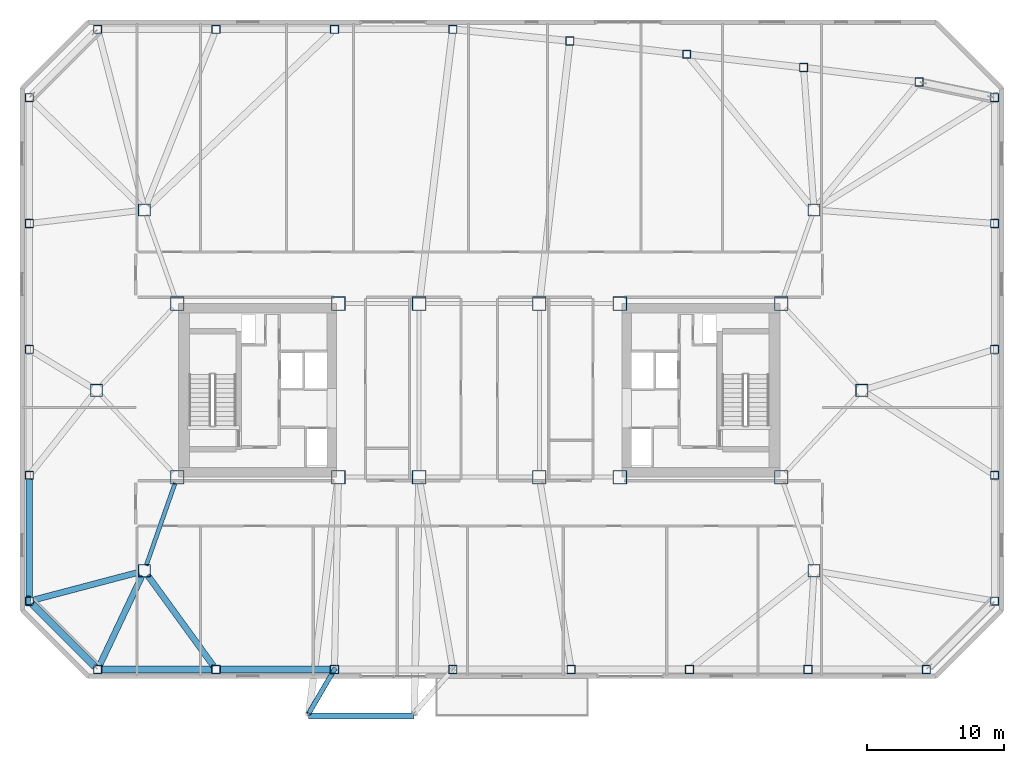
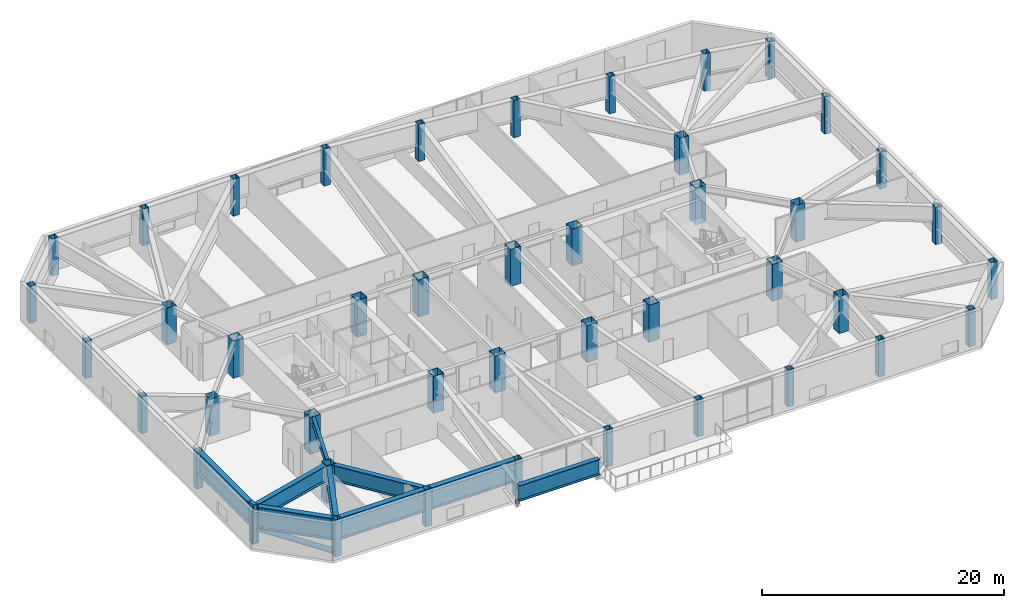
# One storey, part 1 of 18: 44 columns, 9 beams, 3 members.
"""IFC4 building model written with IfcOpenShell, lengths in metres."""

import ifcopenshell
import ifcopenshell.guid

model = None  # the IFC model being written
_history = None  # IfcOwnerHistory: only IFC2X3 demands one
_inside = {}  # id of a spatial element -> (the spatial element, [elements in it])
_under = {}  # id of a project, library or spatial element -> (it, [spatial elements below it])
_declared = {}  # id of a project -> (the project, [libraries it declares])
_typed = {}  # id of a type object -> (the type object, [elements of that type])
_made_of = {}  # id of a material, layer set ... -> (it, [elements and type objects made of it])


def new_model(schema):
    """Start an empty IFC model of exactly this schema.

    Asked for "IFC4X3", IfcOpenShell would pick the latest addendum, in which some entities
    have other attributes; the version numbers below select the first issue.
    IFC2X3 requires an IfcOwnerHistory on every rooted entity: one is made here for all.
    """
    global model, _history
    if schema == "IFC4X3":
        model = ifcopenshell.file(schema_version=(4, 3, 0, 0))
    else:
        model = ifcopenshell.file(schema=schema)
    _inside.clear()
    _under.clear()
    _declared.clear()
    _typed.clear()
    _made_of.clear()
    _history = None
    if model.schema == "IFC2X3":
        org = make("IfcOrganization", Name="unknown")
        user = make(
            "IfcPersonAndOrganization",
            ThePerson=make("IfcPerson", FamilyName="unknown"),
            TheOrganization=org,
        )
        app = make(
            "IfcApplication",
            ApplicationDeveloper=org,
            Version="unknown",
            ApplicationFullName="unknown",
            ApplicationIdentifier="unknown",
        )
        _history = make(
            "IfcOwnerHistory",
            OwningUser=user,
            OwningApplication=app,
            ChangeAction="ADDED",
            CreationDate=0,
        )
    return model


def make(cls, **values):
    """One entity of the class cls with the attributes given. An attribute that is None is left unset."""
    return model.create_entity(
        cls, **{name: value for name, value in values.items() if value is not None}
    )


def rooted(cls, **values):
    """An entity with a GlobalId (a new one), such as an element, a storey or a relation."""
    return make(cls, GlobalId=ifcopenshell.guid.new(), OwnerHistory=_history, **values)


def si_unit(unit_type, name, prefix=None):
    """IfcSIUnit, for example si_unit("LENGTHUNIT", "METRE", prefix="MILLI")."""
    return make("IfcSIUnit", UnitType=unit_type, Prefix=prefix, Name=name)


def assignment(units):
    """IfcUnitAssignment: the units of a project."""
    return None if units is None else make("IfcUnitAssignment", Units=units)


def point(xyz):
    """IfcCartesianPoint."""
    return None if xyz is None else make("IfcCartesianPoint", Coordinates=xyz)


def direction(xyz):
    """IfcDirection."""
    return None if xyz is None else make("IfcDirection", DirectionRatios=xyz)


def frame(location, z_axis=None, x_axis=None):
    """IfcAxis2Placement3D, a coordinate frame: its origin and axes. An axis left out is left unset."""
    return make(
        "IfcAxis2Placement3D",
        Location=point(location),
        Axis=direction(z_axis),
        RefDirection=direction(x_axis),
    )


def frame_2d(location, x_axis=None):
    """IfcAxis2Placement2D, a coordinate frame in the plane: its origin and x axis."""
    return make(
        "IfcAxis2Placement2D", Location=point(location), RefDirection=direction(x_axis)
    )


def origin():
    """The frame at (0, 0, 0) with its axes left unset."""
    return frame((0.0, 0.0, 0.0))


def origin_2d():
    """The frame at (0, 0) in the plane with its x axis left unset."""
    return frame_2d((0.0, 0.0))


def place(relative_to, where):
    """IfcLocalPlacement: puts the frame where relative to a parent placement (None: the world)."""
    return make(
        "IfcLocalPlacement", PlacementRelTo=relative_to, RelativePlacement=where
    )


def context(
    kind, dimensions, precision=None, world=None, true_north=None, identifier=None
):
    """IfcGeometricRepresentationContext, for example the 3D "Model" context."""
    return make(
        "IfcGeometricRepresentationContext",
        ContextIdentifier=identifier,
        ContextType=kind,
        CoordinateSpaceDimension=dimensions,
        Precision=precision,
        WorldCoordinateSystem=world,
        TrueNorth=true_north,
    )


def subcontext(parent, identifier, kind, view, scale=None):
    """IfcGeometricRepresentationSubContext, for example "Body" below "Model"."""
    return make(
        "IfcGeometricRepresentationSubContext",
        ContextIdentifier=identifier,
        ContextType=kind,
        ParentContext=parent,
        TargetScale=scale,
        TargetView=view,
    )


def project(units=None, contexts=None):
    """IfcProject with its units and contexts."""
    return rooted(
        "IfcProject",
        Name="project",
        RepresentationContexts=contexts,
        UnitsInContext=assignment(units),
    )


def spatial(cls, under=None, at=None, **own):
    """A site, building, storey or space (cls), placed at a placement, below another one or the project."""
    s = rooted(cls, ObjectPlacement=at, **own)
    if under is not None:
        _under.setdefault(under.id(), (under, []))[1].append(s)
    return s


def profile(cls, at=None, kind="AREA", **sizes):
    """A parametric profile (cls). Its sizes go by their IFC names, for example OverallWidth=200.0."""
    return make(cls, ProfileType=kind, Position=at, **sizes)


def rectangle(**sizes):
    """IfcRectangleProfileDef."""
    return profile("IfcRectangleProfileDef", **sizes)


def hollow_rectangle(**sizes):
    """IfcRectangleHollowProfileDef."""
    return profile("IfcRectangleHollowProfileDef", **sizes)


def hollow_circle(**sizes):
    """IfcCircleHollowProfileDef."""
    return profile("IfcCircleHollowProfileDef", **sizes)


def i_section(**sizes):
    """IfcIShapeProfileDef."""
    return profile("IfcIShapeProfileDef", **sizes)


def extrude(swept, where, along, depth):
    """IfcExtrudedAreaSolid: the profile swept, set in the frame where, extruded along a direction by depth."""
    return make(
        "IfcExtrudedAreaSolid",
        SweptArea=swept,
        Position=where,
        ExtrudedDirection=direction(along),
        Depth=depth,
    )


def shape(context_of_items, identifier, shape_type, items):
    """IfcShapeRepresentation: the items that make up one representation, for example the "Body"."""
    return make(
        "IfcShapeRepresentation",
        ContextOfItems=context_of_items,
        RepresentationIdentifier=identifier,
        RepresentationType=shape_type,
        Items=items,
    )


def material(Name=None, Category=None):
    """IfcMaterial."""
    return make("IfcMaterial", Name=Name, Category=Category)


def material_profile(
    of_material, cross_section, Name=None, Category=None, Priority=None
):
    """IfcMaterialProfile: a cross section and its material."""
    return make(
        "IfcMaterialProfile",
        Name=Name,
        Material=of_material,
        Profile=cross_section,
        Priority=Priority,
        Category=Category,
    )


def profile_set(profiles, Name=None, composite=None):
    """IfcMaterialProfileSet."""
    return make(
        "IfcMaterialProfileSet",
        Name=Name,
        MaterialProfiles=profiles,
        CompositeProfile=composite,
    )


def made_of(thing, what):
    """Note that an element or type object is made of a material, layer set ...; save() writes the relation."""
    if what is not None:
        _made_of.setdefault(what.id(), (what, []))[1].append(thing)
    return thing


def type_object(cls, material=None, **own):
    """A type object (cls), such as IfcWallType, which elements share."""
    return made_of(rooted(cls, **own), material)


def element(
    cls,
    number,
    at=None,
    inside=None,
    cuts=None,
    type_object=None,
    material=None,
    context=None,
    identifier="Body",
    shape_type=None,
    held_by="IfcProductDefinitionShape",
    body=None,
    shapes=None,
    **own,
):
    """One element of the class cls, such as IfcWall. Its Tag is "e" and its number.

    at: its placement. inside: the storey or other place that contains it. cuts: it is an
    opening in that element (IfcRelVoidsElement). A single representation is given by context,
    identifier, shape_type and body (its items); several are given by shapes. held_by: the class
    of the entity that holds the representations. save() writes the other relations.
    """
    e = rooted(cls, Tag="e%d" % number, ObjectPlacement=at, **own)
    if body is not None:
        shapes = [shape(context, identifier, shape_type, body)]
    if shapes is not None:
        e.Representation = make(held_by, Representations=shapes)
    if inside is not None:
        _inside.setdefault(inside.id(), (inside, []))[1].append(e)
    if cuts is not None:
        rooted(
            "IfcRelVoidsElement", RelatingBuildingElement=cuts, RelatedOpeningElement=e
        )
    if type_object is not None:
        _typed.setdefault(type_object.id(), (type_object, []))[1].append(e)
    return made_of(e, material)


def aggregate(whole, parts):
    """IfcRelAggregates: a whole, such as a stair, and the parts it consists of."""
    return rooted("IfcRelAggregates", RelatingObject=whole, RelatedObjects=parts)


def save(model, path):
    """Write the relations noted so far, then the file.

    IfcRelAggregates (storeys below a building ...), IfcRelContainedInSpatialStructure (elements
    in a storey), IfcRelDefinesByType, IfcRelAssociatesMaterial and IfcRelDeclares: one each for
    every whole, place, type object, material and project.
    """
    for whole, parts in _under.values():
        aggregate(whole, parts)
    for where, things in _inside.values():
        rooted(
            "IfcRelContainedInSpatialStructure",
            RelatedElements=things,
            RelatingStructure=where,
        )
    for kind, things in _typed.values():
        rooted("IfcRelDefinesByType", RelatedObjects=things, RelatingType=kind)
    for what, things in _made_of.values():
        rooted("IfcRelAssociatesMaterial", RelatedObjects=things, RelatingMaterial=what)
    for by, libraries in _declared.values():
        rooted("IfcRelDeclares", RelatingContext=by, RelatedDefinitions=libraries)
    model.write(path)


model = new_model("IFC4")

# Units and contexts
model_context = context("Model", 3, precision=1e-05, world=origin(), true_north=direction((0.0, 1.0)))
body_context = subcontext(model_context, "Body", "Model", "MODEL_VIEW")
ifc_project = project(units=[si_unit("LENGTHUNIT", "METRE"), si_unit("AREAUNIT", "SQUARE_METRE"), si_unit("VOLUMEUNIT", "CUBIC_METRE"), si_unit("PLANEANGLEUNIT", "RADIAN"), si_unit("MASSUNIT", "GRAM", prefix="KILO")], contexts=[model_context])

# Site, building, storey
site_placement = place(None, origin())
site = spatial("IfcSite", under=ifc_project, at=site_placement, CompositionType="ELEMENT")
building_placement = place(site_placement, origin())
building = spatial("IfcBuilding", under=site, at=building_placement, Name="Tavrogorsk Clinical Tower", CompositionType="ELEMENT")
storey_placement = place(building_placement, frame((0.0, 0.0, 152.199951171875)))
storey = spatial("IfcBuildingStorey", under=building, at=storey_placement, Name="L34", CompositionType="ELEMENT", Elevation=152.199951171875)

# Columns
ifc_material_1 = material(Name="Structural steel S440", Category="steel")
ifc_material_profile_1 = material_profile(ifc_material_1, hollow_rectangle(XDim=1.0, YDim=1.0, WallThickness=0.044921875, at=origin_2d()), Name="BOX-1000x1000x45")
ifc_profile_set_1 = profile_set([ifc_material_profile_1], Name="Structural steel S440")
column_type_1 = type_object("IfcColumnType", Name="MegaCol_BOX1000", PredefinedType="COLUMN", material=ifc_profile_set_1)
for number, where, z_axis, x_axis, name in (
    (1, (-22.10009765625, -6.35009765625, 0.0), (0.0, 0.0, 1.0), (1.0, 0.0, 0.0), "L34 Mega Column MC-W1"),
    (2, (-22.10009765625, 6.35009765625, 0.0), (0.0, 0.0, 1.0), (1.0, 0.0, 0.0), "L34 Mega Column MC-W2"),
    (3, (-10.300048828125, -6.35009765625, 0.0), (0.0, 0.0, 1.0), (1.0, 0.0, 0.0), "L34 Mega Column MC-W3"),
    (4, (-10.300048828125, 6.35009765625, 0.0), (0.0, 0.0, 1.0), (1.0, 0.0, 0.0), "L34 Mega Column MC-W4"),
    (5, (10.300048828125, -6.35009765625, 0.0), (0.0, 0.0, 1.0), (1.0, 0.0, 0.0), "L34 Mega Column MC-E1"),
    (6, (10.300048828125, 6.35009765625, 0.0), (0.0, 0.0, 1.0), (1.0, 0.0, 0.0), "L34 Mega Column MC-E2"),
    (7, (22.10009765625, -6.35009765625, 0.0), (0.0, 0.0, 1.0), (1.0, 0.0, 0.0), "L34 Mega Column MC-E3"),
    (8, (22.10009765625, 6.35009765625, 0.0), (0.0, 0.0, 1.0), (1.0, 0.0, 0.0), "L34 Mega Column MC-E4"),
    (9, (-4.39990234375, -6.35009765625, 0.0), (0.0, 0.0, 1.0), (1.0, 0.0, 0.0), "L34 Mega Column MC-C1"),
    (10, (4.39990234375, -6.35009765625, 0.0), (0.0, 0.0, 1.0), (1.0, 0.0, 0.0), "L34 Mega Column MC-C2"),
    (11, (-4.39990234375, 6.35009765625, 0.0), (0.0, 0.0, 1.0), (1.0, 0.0, 0.0), "L34 Mega Column MC-C3"),
    (12, (4.39990234375, 6.35009765625, 0.0), (0.0, 0.0, 1.0), (1.0, 0.0, 0.0), "L34 Mega Column MC-C4"),
):
    element("IfcColumn", number, at=place(storey_placement, frame(where, z_axis=z_axis, x_axis=x_axis)), inside=storey, type_object=column_type_1, Name=name, PredefinedType="COLUMN", context=body_context, shape_type="SweptSolid", body=[
        extrude(hollow_rectangle(XDim=1.0, YDim=1.0, WallThickness=0.044921875, at=origin_2d()), origin(), (0.0, 0.0, 1.0), 3.739990234375),
    ])
ifc_material_2 = material(Name="Structural steel S440", Category="steel")
ifc_material_profile_2 = material_profile(ifc_material_2, hollow_rectangle(XDim=0.89990234375, YDim=0.89990234375, WallThickness=0.0400390625, at=origin_2d()), Name="BOX-900x900x40")
ifc_profile_set_2 = profile_set([ifc_material_profile_2], Name="Structural steel S440")
column_type_2 = type_object("IfcColumnType", Name="MegaCol_BOX900", PredefinedType="COLUMN", material=ifc_profile_set_2)
for number, where, z_axis, x_axis, name in (
    (13, (-24.5, -13.199951171875, 0.0), (0.0, 0.0, 1.0), (1.0, 0.0, 0.0), "L34 Spine Pilotis Column MC-P1"),
    (14, (24.5, -13.199951171875, 0.0), (0.0, 0.0, 1.0), (1.0, 0.0, 0.0), "L34 Spine Pilotis Column MC-P2"),
    (15, (-24.5, 13.199951171875, 0.0), (0.0, 0.0, 1.0), (1.0, 0.0, 0.0), "L34 Spine Pilotis Column MC-P3"),
    (16, (24.5, 13.199951171875, 0.0), (0.0, 0.0, 1.0), (1.0, 0.0, 0.0), "L34 Spine Pilotis Column MC-P4"),
    (17, (-28.0, 0.0, 0.0), (0.0, 0.0, 1.0), (1.0, 0.0, 0.0), "L34 Spine Pilotis Column MC-P5"),
    (18, (28.0, 0.0, 0.0), (0.0, 0.0, 1.0), (1.0, 0.0, 0.0), "L34 Spine Pilotis Column MC-P6"),
):
    element("IfcColumn", number, at=place(storey_placement, frame(where, z_axis=z_axis, x_axis=x_axis)), inside=storey, type_object=column_type_2, Name=name, PredefinedType="COLUMN", context=body_context, shape_type="SweptSolid", body=[
        extrude(hollow_rectangle(XDim=0.89990234375, YDim=0.89990234375, WallThickness=0.0400390625, at=origin_2d()), origin(), (0.0, 0.0, 1.0), 3.739990234375),
    ])
ifc_material_3 = material(Name="Structural steel S440", Category="steel")
ifc_material_profile_3 = material_profile(ifc_material_3, hollow_rectangle(XDim=0.60009765625, YDim=0.60009765625, WallThickness=0.028076171875, at=origin_2d()), Name="BOX-600x600x28")
ifc_profile_set_3 = profile_set([ifc_material_profile_3], Name="Structural steel S440")
column_type_3 = type_object("IfcColumnType", Name="PerimCol_B3_BOX600", PredefinedType="COLUMN", material=ifc_profile_set_3)
for number, where, z_axis, x_axis, name in (
    (19, (-27.919921875, -20.419921875, 0.0), (0.0, 0.0, 1.0), (1.0, 0.0, 0.0), "L34 Perimeter Column S1"),
    (20, (-19.257080078125, -20.419921875, 0.0), (0.0, 0.0, 1.0), (1.0, 0.0, 0.0), "L34 Perimeter Column S2"),
    (21, (-10.59423828125, -20.419921875, 0.0), (0.0, 0.0, 1.0), (1.0, 0.0, 0.0), "L34 Perimeter Column S3"),
    (22, (-1.931396484375, -20.419921875, 0.0), (0.0, 0.0, 1.0), (1.0, 0.0, 0.0), "L34 Perimeter Column S4"),
    (23, (6.7314453125, -20.419921875, 0.0), (0.0, 0.0, 1.0), (1.0, 0.0, 0.0), "L34 Perimeter Column S5"),
    (24, (15.394287109375, -20.419921875, 0.0), (0.0, 0.0, 1.0), (1.0, 0.0, 0.0), "L34 Perimeter Column S6"),
    (25, (24.05712890625, -20.419921875, 0.0), (0.0, 0.0, 1.0), (1.0, 0.0, 0.0), "L34 Perimeter Column S7"),
    (26, (32.719970703125, -20.419921875, 0.0), (0.0, 0.0, 1.0), (1.0, 0.0, 0.0), "L34 Perimeter Column S8"),
    (27, (32.19140625, 22.56591796875, 0.0), (0.0, 0.0, 1.0), (1.0, 0.0, 0.0), "L34 Perimeter Column N1"),
    (28, (23.73779296875, 23.617919921875, 0.0), (0.0, 0.0, 1.0), (1.0, 0.0, 0.0), "L34 Perimeter Column N2"),
    (29, (15.18603515625, 24.59228515625, 0.0), (0.0, 0.0, 1.0), (1.0, 0.0, 0.0), "L34 Perimeter Column N3"),
    (30, (6.63427734375, 25.566650390625, 0.0), (0.0, 0.0, 1.0), (1.0, 0.0, 0.0), "L34 Perimeter Column N4"),
    (31, (-1.931396484375, 26.419921875, 0.0), (0.0, 0.0, 1.0), (1.0, 0.0, 0.0), "L34 Perimeter Column N5"),
    (32, (-10.59423828125, 26.419921875, 0.0), (0.0, 0.0, 1.0), (1.0, 0.0, 0.0), "L34 Perimeter Column N6"),
    (33, (-19.257080078125, 26.419921875, 0.0), (0.0, 0.0, 1.0), (1.0, 0.0, 0.0), "L34 Perimeter Column N7"),
    (34, (-27.919921875, 26.419921875, 0.0), (0.0, 0.0, 1.0), (1.0, 0.0, 0.0), "L34 Perimeter Column N8"),
    (35, (37.719970703125, -15.419921875, 0.0), (0.0, 0.0, 1.0), (1.0, 0.0, 0.0), "L34 Perimeter Column E1"),
    (36, (37.719970703125, -6.2099609375, 0.0), (0.0, 0.0, 1.0), (1.0, 0.0, 0.0), "L34 Perimeter Column E2"),
    (37, (37.719970703125, 3.0, 0.0), (0.0, 0.0, 1.0), (1.0, 0.0, 0.0), "L34 Perimeter Column E3"),
    (38, (37.719970703125, 12.2099609375, 0.0), (0.0, 0.0, 1.0), (1.0, 0.0, 0.0), "L34 Perimeter Column E4"),
    (39, (37.719970703125, 21.419921875, 0.0), (0.0, 0.0, 1.0), (1.0, 0.0, 0.0), "L34 Perimeter Column E5"),
    (40, (-32.919921875, 21.419921875, 0.0), (0.0, 0.0, 1.0), (1.0, 0.0, 0.0), "L34 Perimeter Column W1"),
    (41, (-32.919921875, 12.2099609375, 0.0), (0.0, 0.0, 1.0), (1.0, 0.0, 0.0), "L34 Perimeter Column W2"),
    (42, (-32.919921875, 3.0, 0.0), (0.0, 0.0, 1.0), (1.0, 0.0, 0.0), "L34 Perimeter Column W3"),
    (43, (-32.919921875, -6.2099609375, 0.0), (0.0, 0.0, 1.0), (1.0, 0.0, 0.0), "L34 Perimeter Column W4"),
    (44, (-32.919921875, -15.419921875, 0.0), (0.0, 0.0, 1.0), (1.0, 0.0, 0.0), "L34 Perimeter Column W5"),
):
    element("IfcColumn", number, at=place(storey_placement, frame(where, z_axis=z_axis, x_axis=x_axis)), inside=storey, type_object=column_type_3, Name=name, PredefinedType="COLUMN", context=body_context, shape_type="SweptSolid", body=[
        extrude(hollow_rectangle(XDim=0.60009765625, YDim=0.60009765625, WallThickness=0.028076171875, at=origin_2d()), origin(), (0.0, 0.0, 1.0), 3.739990234375),
    ])

# Members
ifc_material_4 = material(Name="Structural steel S390", Category="steel")
ifc_material_profile_4 = material_profile(ifc_material_4, hollow_circle(Radius=0.177734375, WallThickness=0.01416015625, at=origin_2d()), Name="CHS-355.6x14.2")
ifc_profile_set_4 = profile_set([ifc_material_profile_4], Name="Structural steel S390")
member_type_1 = type_object("IfcMemberType", Name="DayroomStrut_CHS355", PredefinedType="STRUT", material=ifc_profile_set_4)
member_1_placement = place(storey_placement, frame((-10.556396484375, -20.35498046875, 0.422607421875), z_axis=(-0.473583830325, -0.811635642972, 0.342002834363), x_axis=(0.863718820167, -0.503974006958, 0.0)))
element("IfcMember", 45, at=member_1_placement, inside=storey, type_object=member_type_1, Name="L35 Day-Room Raking Strut DRB-05-L", PredefinedType="STRUT", context=body_context, shape_type="SweptSolid", body=[
    extrude(hollow_circle(Radius=0.177734375, WallThickness=0.01416015625, at=origin_2d()), origin(), (0.0, 0.0, 1.0), 4.078369140625),
])
ifc_material_5 = material(Name="Structural steel S440", Category="steel")
ifc_material_profile_5 = material_profile(ifc_material_5, hollow_circle(Radius=0.25390625, WallThickness=0.02001953125, at=origin_2d()), Name="CHS-508x20")
ifc_profile_set_5 = profile_set([ifc_material_profile_5], Name="Structural steel S440")
member_type_2 = type_object("IfcMemberType", Name="ExoBrace_CHS508", PredefinedType="BRACE", material=ifc_profile_set_5)
member_2_placement = place(storey_placement, frame((-28.134765625, -20.205322265625, 0.35107421875), z_axis=(-0.697299508861, 0.697299508861, 0.165972256369), x_axis=(-0.707106781187, -0.707106781187, 0.0)))
element("IfcMember", 46, at=member_2_placement, inside=storey, type_object=member_type_2, Name="L34 Corner Exoskeleton Brace W5-S1", PredefinedType="BRACE", context=body_context, shape_type="SweptSolid", body=[
    extrude(hollow_circle(Radius=0.25390625, WallThickness=0.02001953125, at=origin_2d()), origin(), (0.0, 0.0, 1.0), 6.5546875),
])
ifc_material_6 = material(Name="Precast concrete B45 with limestone cladding", Category="masonry")
ifc_material_profile_6 = material_profile(ifc_material_6, rectangle(XDim=0.320068359375, YDim=0.719970703125, at=origin_2d()), Name="LIMESTONE-FIN-320x720")
ifc_profile_set_6 = profile_set([ifc_material_profile_6], Name="Precast concrete B45 with limestone cladding")
member_type_3 = type_object("IfcMemberType", Name="LimestonePleatFin_320x720", PredefinedType="USERDEFINED", material=ifc_profile_set_6)
member_3_placement = place(storey_placement, frame((-33.0, -15.419921875, 0.0), z_axis=(0.0, 0.0, 1.0), x_axis=(1.0, 0.0, 0.0)))
element("IfcMember", 47, at=member_3_placement, inside=storey, type_object=member_type_3, Name="L34 W Pleated Stone Fin 4", ObjectType="FIN", PredefinedType="USERDEFINED", context=body_context, shape_type="SweptSolid", body=[
    extrude(rectangle(XDim=0.320068359375, YDim=0.719970703125, at=origin_2d()), origin(), (0.0, 0.0, 1.0), 4.0),
])

# Beams
ifc_material_7 = material(Name="Structural steel S390", Category="steel")
ifc_material_profile_7 = material_profile(ifc_material_7, i_section(OverallWidth=0.300048828125, OverallDepth=0.699951171875, WebThickness=0.01708984375, FlangeThickness=0.028076171875, at=origin_2d()), Name="B-700x300x17x28")
ifc_profile_set_7 = profile_set([ifc_material_profile_7], Name="Structural steel S390")
beam_type_1 = type_object("IfcBeamType", Name="PrimaryGirder_B700", PredefinedType="USERDEFINED", material=ifc_profile_set_7)
beam_1_placement = place(storey_placement, frame((-24.364501953125, -12.81298828125, 3.39013671875), z_axis=(0.330660234815, 0.943749865755, 0.0), x_axis=(-0.943749865755, 0.330660234815, 0.0)))
element("IfcBeam", 48, at=beam_1_placement, inside=storey, type_object=beam_type_1, Name="L34 Spine Link Girder OPG-1", ObjectType="GIRDER", PredefinedType="USERDEFINED", context=body_context, shape_type="SweptSolid", body=[
    extrude(i_section(OverallWidth=0.300048828125, OverallDepth=0.699951171875, WebThickness=0.01708984375, FlangeThickness=0.028076171875, at=origin_2d()), origin(), (0.0, 0.0, 1.0), 6.38818359375),
])
ifc_material_8 = material(Name="Structural steel S440", Category="steel")
ifc_material_profile_8 = material_profile(ifc_material_8, i_section(OverallWidth=0.449951171875, OverallDepth=1.60009765625, WebThickness=0.031982421875, FlangeThickness=0.050048828125, at=origin_2d()), Name="DK-1600x450x32x50")
ifc_profile_set_8 = profile_set([ifc_material_profile_8], Name="Structural steel S440")
beam_type_2 = type_object("IfcBeamType", Name="TransferGirder_DK1600", PredefinedType="USERDEFINED", material=ifc_profile_set_8)
beam_2_placement = place(storey_placement, frame((-24.675537109375, -13.570556640625, 2.93994140625), z_axis=(-0.42808057121, -0.903740573701, 0.0), x_axis=(0.903740573701, -0.42808057121, 0.0)))
element("IfcBeam", 49, at=beam_2_placement, inside=storey, type_object=beam_type_2, Name="L34 Radial Floor Beam S1", ObjectType="GIRDER", PredefinedType="USERDEFINED", context=body_context, shape_type="SweptSolid", body=[
    extrude(i_section(OverallWidth=0.449951171875, OverallDepth=1.60009765625, WebThickness=0.031982421875, FlangeThickness=0.050048828125, at=origin_2d()), origin(), (0.0, 0.0, 1.0), 7.27099609375),
])
beam_3_placement = place(storey_placement, frame((-24.259033203125, -13.53173828125, 2.93994140625), z_axis=(0.587578845372, -0.809166917559, 0.0), x_axis=(0.809166917559, 0.587578845372, 0.0)))
element("IfcBeam", 50, at=beam_3_placement, inside=storey, type_object=beam_type_2, Name="L34 Radial Floor Beam S2", ObjectType="GIRDER", PredefinedType="USERDEFINED", context=body_context, shape_type="SweptSolid", body=[
    extrude(i_section(OverallWidth=0.449951171875, OverallDepth=1.60009765625, WebThickness=0.031982421875, FlangeThickness=0.050048828125, at=origin_2d()), origin(), (0.0, 0.0, 1.0), 8.204833984375),
])
beam_4_placement = place(storey_placement, frame((-24.896484375, -13.304443359375, 2.93994140625), z_axis=(-0.966949342117, -0.254968566257, 0.0), x_axis=(0.254968566257, -0.966949342117, 0.0)))
element("IfcBeam", 51, at=beam_4_placement, inside=storey, type_object=beam_type_2, Name="L34 Radial Floor Beam W5", ObjectType="GIRDER", PredefinedType="USERDEFINED", context=body_context, shape_type="SweptSolid", body=[
    extrude(i_section(OverallWidth=0.449951171875, OverallDepth=1.60009765625, WebThickness=0.031982421875, FlangeThickness=0.050048828125, at=origin_2d()), origin(), (0.0, 0.0, 1.0), 7.98974609375),
])
beam_5_placement = place(storey_placement, frame((-12.477294921875, -23.818359375, 2.93994140625), z_axis=(0.999999975516, -0.00022128789, 0.0), x_axis=(0.00022128789, 0.999999975516, 0.0)))
element("IfcBeam", 52, at=beam_5_placement, inside=storey, type_object=beam_type_2, Name="L35 Day-Room Base Edge Girder DRB-05", ObjectType="GIRDER", PredefinedType="USERDEFINED", context=body_context, shape_type="SweptSolid", body=[
    extrude(i_section(OverallWidth=0.449951171875, OverallDepth=1.60009765625, WebThickness=0.031982421875, FlangeThickness=0.050048828125, at=origin_2d()), origin(), (0.0, 0.0, 1.0), 7.722900390625),
])
ifc_material_9 = material(Name="Structural steel S440", Category="steel")
ifc_material_profile_9 = material_profile(ifc_material_9, i_section(OverallWidth=0.5, OverallDepth=2.199951171875, WebThickness=0.035888671875, FlangeThickness=0.054931640625, at=origin_2d()), Name="DK-2200x500x36x55")
ifc_profile_set_9 = profile_set([ifc_material_profile_9], Name="Structural steel S440")
beam_type_3 = type_object("IfcBeamType", Name="TransferGirder_DK2200", PredefinedType="USERDEFINED", material=ifc_profile_set_9)
for number, where, z_axis, x_axis, name in (
    (53, (-27.612060546875, -20.419921875, 2.64013671875), (1.0, 0.0, 0.0), (0.0, 1.0, 0.0), "L34 Perimeter Spandrel S1-S2"),
    (54, (-18.94921875, -20.419921875, 2.64013671875), (1.0, 0.0, 0.0), (0.0, 1.0, 0.0), "L34 Perimeter Spandrel S2-S3"),
):
    element("IfcBeam", number, at=place(storey_placement, frame(where, z_axis=z_axis, x_axis=x_axis)), inside=storey, type_object=beam_type_3, Name=name, ObjectType="GIRDER", PredefinedType="USERDEFINED", context=body_context, shape_type="SweptSolid", body=[
        extrude(i_section(OverallWidth=0.5, OverallDepth=2.199951171875, WebThickness=0.035888671875, FlangeThickness=0.054931640625, at=origin_2d()), origin(), (0.0, 0.0, 1.0), 8.046875),
    ])
beam_6_placement = place(storey_placement, frame((-32.919921875, -6.51806640625, 2.64013671875), z_axis=(0.0, -1.0, 0.0), x_axis=(1.0, 0.0, 0.0)))
element("IfcBeam", 55, at=beam_6_placement, inside=storey, type_object=beam_type_3, Name="L34 Perimeter Spandrel W4-W5", ObjectType="GIRDER", PredefinedType="USERDEFINED", context=body_context, shape_type="SweptSolid", body=[
    extrude(i_section(OverallWidth=0.5, OverallDepth=2.199951171875, WebThickness=0.035888671875, FlangeThickness=0.054931640625, at=origin_2d()), origin(), (0.0, 0.0, 1.0), 8.593994140625),
])
beam_7_placement = place(storey_placement, frame((-32.7021484375, -15.6376953125, 2.64013671875), z_axis=(0.707106781187, -0.707106781187, 0.0), x_axis=(0.707106781187, 0.707106781187, 0.0)))
element("IfcBeam", 56, at=beam_7_placement, inside=storey, type_object=beam_type_3, Name="L34 Perimeter Spandrel W5-S1", ObjectType="GIRDER", PredefinedType="USERDEFINED", context=body_context, shape_type="SweptSolid", body=[
    extrude(i_section(OverallWidth=0.5, OverallDepth=2.199951171875, WebThickness=0.035888671875, FlangeThickness=0.054931640625, at=origin_2d()), origin(), (0.0, 0.0, 1.0), 6.455078125),
])

save(model, "model.ifc")
